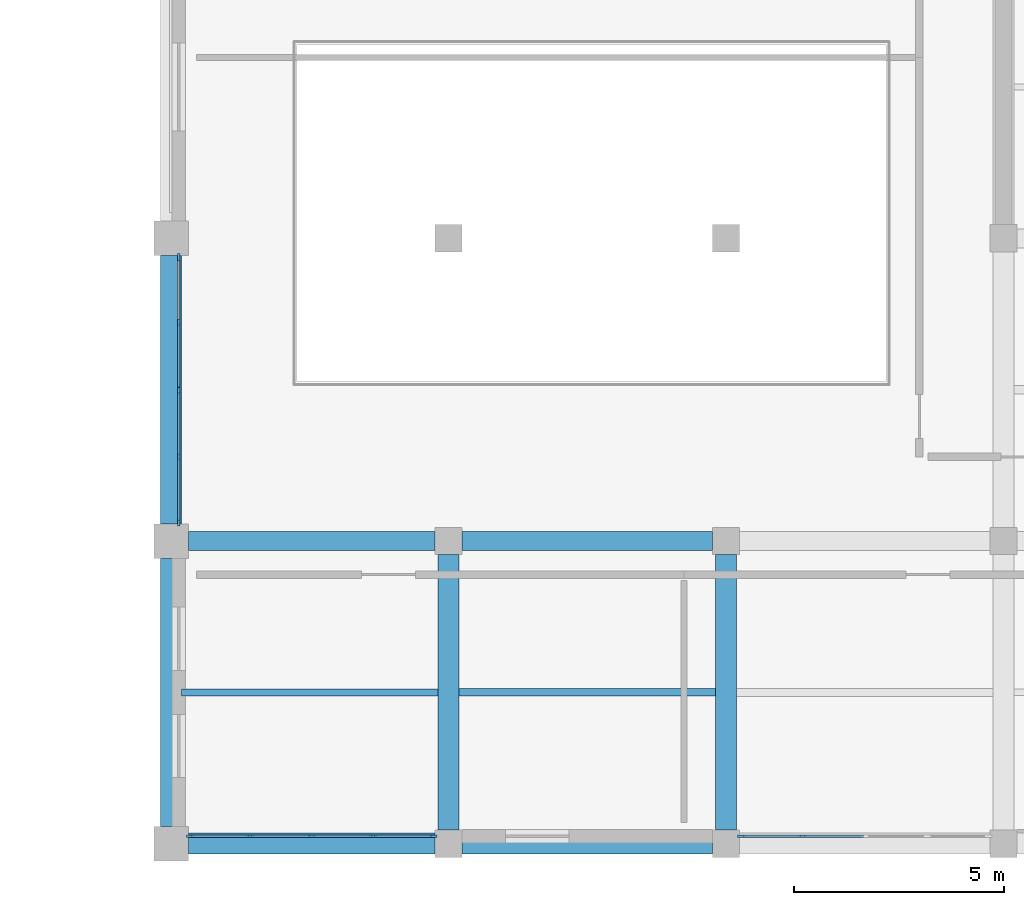
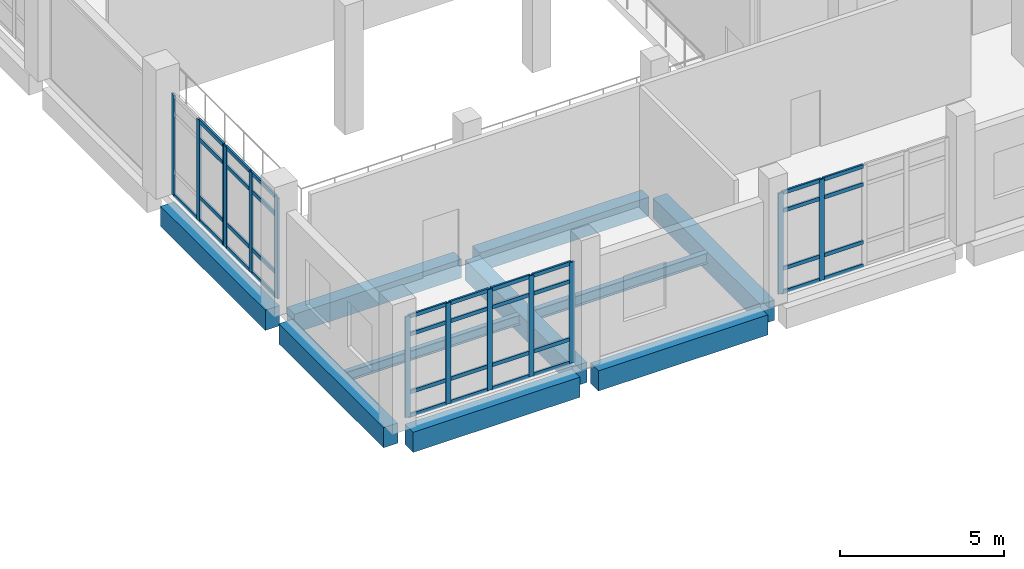
# One storey, part 7 of 73: 50 members, 10 beams, 4 elements without a shape of their own.
"""IFC4 building model written with IfcOpenShell, lengths in metres."""

import ifcopenshell
import ifcopenshell.guid

model = None  # the IFC model being written
_history = None  # IfcOwnerHistory: only IFC2X3 demands one
_inside = {}  # id of a spatial element -> (the spatial element, [elements in it])
_under = {}  # id of a project, library or spatial element -> (it, [spatial elements below it])
_declared = {}  # id of a project -> (the project, [libraries it declares])
_typed = {}  # id of a type object -> (the type object, [elements of that type])
_made_of = {}  # id of a material, layer set ... -> (it, [elements and type objects made of it])


def new_model(schema):
    """Start an empty IFC model of exactly this schema.

    Asked for "IFC4X3", IfcOpenShell would pick the latest addendum, in which some entities
    have other attributes; the version numbers below select the first issue.
    IFC2X3 requires an IfcOwnerHistory on every rooted entity: one is made here for all.
    """
    global model, _history
    if schema == "IFC4X3":
        model = ifcopenshell.file(schema_version=(4, 3, 0, 0))
    else:
        model = ifcopenshell.file(schema=schema)
    _inside.clear()
    _under.clear()
    _declared.clear()
    _typed.clear()
    _made_of.clear()
    _history = None
    if model.schema == "IFC2X3":
        org = make("IfcOrganization", Name="unknown")
        user = make(
            "IfcPersonAndOrganization",
            ThePerson=make("IfcPerson", FamilyName="unknown"),
            TheOrganization=org,
        )
        app = make(
            "IfcApplication",
            ApplicationDeveloper=org,
            Version="unknown",
            ApplicationFullName="unknown",
            ApplicationIdentifier="unknown",
        )
        _history = make(
            "IfcOwnerHistory",
            OwningUser=user,
            OwningApplication=app,
            ChangeAction="ADDED",
            CreationDate=0,
        )
    return model


def make(cls, **values):
    """One entity of the class cls with the attributes given. An attribute that is None is left unset."""
    return model.create_entity(
        cls, **{name: value for name, value in values.items() if value is not None}
    )


def rooted(cls, **values):
    """An entity with a GlobalId (a new one), such as an element, a storey or a relation."""
    return make(cls, GlobalId=ifcopenshell.guid.new(), OwnerHistory=_history, **values)


def si_unit(unit_type, name, prefix=None):
    """IfcSIUnit, for example si_unit("LENGTHUNIT", "METRE", prefix="MILLI")."""
    return make("IfcSIUnit", UnitType=unit_type, Prefix=prefix, Name=name)


def assignment(units):
    """IfcUnitAssignment: the units of a project."""
    return None if units is None else make("IfcUnitAssignment", Units=units)


def point(xyz):
    """IfcCartesianPoint."""
    return None if xyz is None else make("IfcCartesianPoint", Coordinates=xyz)


def direction(xyz):
    """IfcDirection."""
    return None if xyz is None else make("IfcDirection", DirectionRatios=xyz)


def frame(location, z_axis=None, x_axis=None):
    """IfcAxis2Placement3D, a coordinate frame: its origin and axes. An axis left out is left unset."""
    return make(
        "IfcAxis2Placement3D",
        Location=point(location),
        Axis=direction(z_axis),
        RefDirection=direction(x_axis),
    )


def frame_2d(location, x_axis=None):
    """IfcAxis2Placement2D, a coordinate frame in the plane: its origin and x axis."""
    return make(
        "IfcAxis2Placement2D", Location=point(location), RefDirection=direction(x_axis)
    )


def origin():
    """The frame at (0, 0, 0) with its axes left unset."""
    return frame((0.0, 0.0, 0.0))


def origin_2d():
    """The frame at (0, 0) in the plane with its x axis left unset."""
    return frame_2d((0.0, 0.0))


def place(relative_to, where):
    """IfcLocalPlacement: puts the frame where relative to a parent placement (None: the world)."""
    return make(
        "IfcLocalPlacement", PlacementRelTo=relative_to, RelativePlacement=where
    )


def context(
    kind, dimensions, precision=None, world=None, true_north=None, identifier=None
):
    """IfcGeometricRepresentationContext, for example the 3D "Model" context."""
    return make(
        "IfcGeometricRepresentationContext",
        ContextIdentifier=identifier,
        ContextType=kind,
        CoordinateSpaceDimension=dimensions,
        Precision=precision,
        WorldCoordinateSystem=world,
        TrueNorth=true_north,
    )


def subcontext(parent, identifier, kind, view, scale=None):
    """IfcGeometricRepresentationSubContext, for example "Body" below "Model"."""
    return make(
        "IfcGeometricRepresentationSubContext",
        ContextIdentifier=identifier,
        ContextType=kind,
        ParentContext=parent,
        TargetScale=scale,
        TargetView=view,
    )


def project(units=None, contexts=None):
    """IfcProject with its units and contexts."""
    return rooted(
        "IfcProject",
        Name="project",
        RepresentationContexts=contexts,
        UnitsInContext=assignment(units),
    )


def spatial(cls, under=None, at=None, **own):
    """A site, building, storey or space (cls), placed at a placement, below another one or the project."""
    s = rooted(cls, ObjectPlacement=at, **own)
    if under is not None:
        _under.setdefault(under.id(), (under, []))[1].append(s)
    return s


def profile(cls, at=None, kind="AREA", **sizes):
    """A parametric profile (cls). Its sizes go by their IFC names, for example OverallWidth=200.0."""
    return make(cls, ProfileType=kind, Position=at, **sizes)


def rectangle(**sizes):
    """IfcRectangleProfileDef."""
    return profile("IfcRectangleProfileDef", **sizes)


def i_section(**sizes):
    """IfcIShapeProfileDef."""
    return profile("IfcIShapeProfileDef", **sizes)


def extrude(swept, where, along, depth):
    """IfcExtrudedAreaSolid: the profile swept, set in the frame where, extruded along a direction by depth."""
    return make(
        "IfcExtrudedAreaSolid",
        SweptArea=swept,
        Position=where,
        ExtrudedDirection=direction(along),
        Depth=depth,
    )


def shape(context_of_items, identifier, shape_type, items):
    """IfcShapeRepresentation: the items that make up one representation, for example the "Body"."""
    return make(
        "IfcShapeRepresentation",
        ContextOfItems=context_of_items,
        RepresentationIdentifier=identifier,
        RepresentationType=shape_type,
        Items=items,
    )


def material(Name=None, Category=None):
    """IfcMaterial."""
    return make("IfcMaterial", Name=Name, Category=Category)


def layer(
    of_material, thickness, ventilated=None, Name=None, Category=None, Priority=None
):
    """IfcMaterialLayer: one layer of a wall or slab, of a material (None: an air gap)."""
    return make(
        "IfcMaterialLayer",
        Material=of_material,
        LayerThickness=thickness,
        IsVentilated=ventilated,
        Name=Name,
        Category=Category,
        Priority=Priority,
    )


def layer_set(layers, Name=None):
    """IfcMaterialLayerSet."""
    return make("IfcMaterialLayerSet", MaterialLayers=layers, LayerSetName=Name)


def material_profile(
    of_material, cross_section, Name=None, Category=None, Priority=None
):
    """IfcMaterialProfile: a cross section and its material."""
    return make(
        "IfcMaterialProfile",
        Name=Name,
        Material=of_material,
        Profile=cross_section,
        Priority=Priority,
        Category=Category,
    )


def profile_set(profiles, Name=None, composite=None):
    """IfcMaterialProfileSet."""
    return make(
        "IfcMaterialProfileSet",
        Name=Name,
        MaterialProfiles=profiles,
        CompositeProfile=composite,
    )


def made_of(thing, what):
    """Note that an element or type object is made of a material, layer set ...; save() writes the relation."""
    if what is not None:
        _made_of.setdefault(what.id(), (what, []))[1].append(thing)
    return thing


def type_object(cls, material=None, **own):
    """A type object (cls), such as IfcWallType, which elements share."""
    return made_of(rooted(cls, **own), material)


def element(
    cls,
    number,
    at=None,
    inside=None,
    cuts=None,
    type_object=None,
    material=None,
    context=None,
    identifier="Body",
    shape_type=None,
    held_by="IfcProductDefinitionShape",
    body=None,
    shapes=None,
    **own,
):
    """One element of the class cls, such as IfcWall. Its Tag is "e" and its number.

    at: its placement. inside: the storey or other place that contains it. cuts: it is an
    opening in that element (IfcRelVoidsElement). A single representation is given by context,
    identifier, shape_type and body (its items); several are given by shapes. held_by: the class
    of the entity that holds the representations. save() writes the other relations.
    """
    e = rooted(cls, Tag="e%d" % number, ObjectPlacement=at, **own)
    if body is not None:
        shapes = [shape(context, identifier, shape_type, body)]
    if shapes is not None:
        e.Representation = make(held_by, Representations=shapes)
    if inside is not None:
        _inside.setdefault(inside.id(), (inside, []))[1].append(e)
    if cuts is not None:
        rooted(
            "IfcRelVoidsElement", RelatingBuildingElement=cuts, RelatedOpeningElement=e
        )
    if type_object is not None:
        _typed.setdefault(type_object.id(), (type_object, []))[1].append(e)
    return made_of(e, material)


def aggregate(whole, parts):
    """IfcRelAggregates: a whole, such as a stair, and the parts it consists of."""
    return rooted("IfcRelAggregates", RelatingObject=whole, RelatedObjects=parts)


def save(model, path):
    """Write the relations noted so far, then the file.

    IfcRelAggregates (storeys below a building ...), IfcRelContainedInSpatialStructure (elements
    in a storey), IfcRelDefinesByType, IfcRelAssociatesMaterial and IfcRelDeclares: one each for
    every whole, place, type object, material and project.
    """
    for whole, parts in _under.values():
        aggregate(whole, parts)
    for where, things in _inside.values():
        rooted(
            "IfcRelContainedInSpatialStructure",
            RelatedElements=things,
            RelatingStructure=where,
        )
    for kind, things in _typed.values():
        rooted("IfcRelDefinesByType", RelatedObjects=things, RelatingType=kind)
    for what, things in _made_of.values():
        rooted("IfcRelAssociatesMaterial", RelatedObjects=things, RelatingMaterial=what)
    for by, libraries in _declared.values():
        rooted("IfcRelDeclares", RelatingContext=by, RelatedDefinitions=libraries)
    model.write(path)


model = new_model("IFC4")

# Units and contexts
model_context = context("Model", 3, precision=1e-05, world=origin(), true_north=direction((0.0, 1.0)))
body_context = subcontext(model_context, "Body", "Model", "MODEL_VIEW")
ifc_project = project(units=[si_unit("LENGTHUNIT", "METRE"), si_unit("AREAUNIT", "SQUARE_METRE"), si_unit("VOLUMEUNIT", "CUBIC_METRE"), si_unit("PLANEANGLEUNIT", "RADIAN"), si_unit("MASSUNIT", "GRAM", prefix="KILO")], contexts=[model_context])

# Site, building, storey
site_placement = place(None, origin())
site = spatial("IfcSite", under=ifc_project, at=site_placement, CompositionType="ELEMENT")
building_placement = place(site_placement, origin())
building = spatial("IfcBuilding", under=site, at=building_placement, Name="Kelarvand Opera House", CompositionType="ELEMENT")
storey_placement = place(building_placement, frame((0.0, 0.0, 10.199951171875)))
storey = spatial("IfcBuildingStorey", under=building, at=storey_placement, Name="L02", CompositionType="ELEMENT", Elevation=10.199951171875)

# Curtain wall, members
ifc_material_1 = material(Name="Thermally broken aluminium and low-E glazing", Category="aluminium")
ifc_layer_1 = layer(ifc_material_1, 0.179931640625, Name="Thermally broken aluminium and low-E glazing", Category="aluminium")
ifc_layer_set_1 = layer_set([ifc_layer_1], Name="Thermally broken aluminium and low-E glazing")
curtain_wall_type_1 = type_object("IfcCurtainWallType", Name="Unitised Low-E Curtain Wall 3176x3730 Mod 1350 CWF-10", PredefinedType="USERDEFINED", material=ifc_layer_set_1)
curtain_wall_1_placement = place(storey_placement, origin())
curtain_wall_1 = element("IfcCurtainWall", 1, at=curtain_wall_1_placement, inside=storey, type_object=curtain_wall_type_1, Name="V6 L02 Curtain Wall CWF-10 (221)", ObjectType="UNITISED CURTAIN WALL", PredefinedType="USERDEFINED")
ifc_material_2 = material(Name="Thermally broken anodised aluminium", Category="aluminium")
ifc_material_profile_1 = material_profile(ifc_material_2, rectangle(XDim=0.06494140625, YDim=0.179931640625, at=origin_2d()), Name="ALU MULLION 65x180", Category="aluminium")
ifc_profile_set_1 = profile_set([ifc_material_profile_1], Name="Thermally broken anodised aluminium")
member_type_1 = type_object("IfcMemberType", Name="Curtain Wall Mullion 65x180 Aluminium", PredefinedType="MULLION", material=ifc_profile_set_1)
member_1_placement = place(storey_placement, frame((89.179931640625, 16.652587890625, 0.0), z_axis=(0.0, 0.0, 1.0), x_axis=(-1.0, 0.0, 0.0)))
member_1 = element("IfcMember", 2, at=member_1_placement, type_object=member_type_1, Name="CWF-10 mullion 1", PredefinedType="MULLION", context=body_context, shape_type="SweptSolid", body=[
    extrude(rectangle(XDim=0.06494140625, YDim=0.179931640625, at=origin_2d()), origin(), (0.0, 0.0, 1.0), 3.75),
])
member_2_placement = place(storey_placement, frame((89.179931640625, 18.2080078125, 0.0), z_axis=(0.0, 0.0, 1.0), x_axis=(-1.0, 0.0, 0.0)))
member_2 = element("IfcMember", 3, at=member_2_placement, type_object=member_type_1, Name="CWF-10 mullion 2", PredefinedType="MULLION", context=body_context, shape_type="SweptSolid", body=[
    extrude(rectangle(XDim=0.06494140625, YDim=0.179931640625, at=origin_2d()), origin(), (0.0, 0.0, 1.0), 3.75),
])
member_3_placement = place(storey_placement, frame((89.179931640625, 19.763427734375, 0.0), z_axis=(0.0, 0.0, 1.0), x_axis=(-1.0, 0.0, 0.0)))
member_3 = element("IfcMember", 4, at=member_3_placement, type_object=member_type_1, Name="CWF-10 mullion 3", PredefinedType="MULLION", context=body_context, shape_type="SweptSolid", body=[
    extrude(rectangle(XDim=0.06494140625, YDim=0.179931640625, at=origin_2d()), origin(), (0.0, 0.0, 1.0), 3.75),
])

curtain_wall_2_placement = place(storey_placement, origin())
curtain_wall_2 = element("IfcCurtainWall", 5, at=curtain_wall_2_placement, inside=storey, type_object=curtain_wall_type_1, Name="V6 L02 Curtain Wall CWF-10 (222)", ObjectType="UNITISED CURTAIN WALL", PredefinedType="USERDEFINED")
member_4_placement = place(storey_placement, frame((89.179931640625, 19.83251953125, 0.0), z_axis=(0.0, 0.0, 1.0), x_axis=(-1.0, 0.0, 0.0)))
member_4 = element("IfcMember", 6, at=member_4_placement, type_object=member_type_1, Name="CWF-10 mullion 1", PredefinedType="MULLION", context=body_context, shape_type="SweptSolid", body=[
    extrude(rectangle(XDim=0.06494140625, YDim=0.179931640625, at=origin_2d()), origin(), (0.0, 0.0, 1.0), 3.75),
])
member_5_placement = place(storey_placement, frame((89.179931640625, 21.389892578125, 0.0), z_axis=(0.0, 0.0, 1.0), x_axis=(-1.0, 0.0, 0.0)))
member_5 = element("IfcMember", 7, at=member_5_placement, type_object=member_type_1, Name="CWF-10 mullion 2", PredefinedType="MULLION", context=body_context, shape_type="SweptSolid", body=[
    extrude(rectangle(XDim=0.06494140625, YDim=0.179931640625, at=origin_2d()), origin(), (0.0, 0.0, 1.0), 3.75),
])
member_6_placement = place(storey_placement, frame((89.179931640625, 22.947509765625, 0.0), z_axis=(0.0, 0.0, 1.0), x_axis=(-1.0, 0.0, 0.0)))
member_6 = element("IfcMember", 8, at=member_6_placement, type_object=member_type_1, Name="CWF-10 mullion 3", PredefinedType="MULLION", context=body_context, shape_type="SweptSolid", body=[
    extrude(rectangle(XDim=0.06494140625, YDim=0.179931640625, at=origin_2d()), origin(), (0.0, 0.0, 1.0), 3.75),
])

ifc_layer_2 = layer(ifc_material_1, 0.179931640625, Name="Thermally broken aluminium and low-E glazing", Category="aluminium")
ifc_layer_set_2 = layer_set([ifc_layer_2], Name="Thermally broken aluminium and low-E glazing")
curtain_wall_type_2 = type_object("IfcCurtainWallType", Name="Unitised Low-E Curtain Wall 5930x3750 Mod 1350 CWF-55", PredefinedType="USERDEFINED", material=ifc_layer_set_2)
curtain_wall_3_placement = place(storey_placement, origin())
curtain_wall_3 = element("IfcCurtainWall", 9, at=curtain_wall_3_placement, inside=storey, type_object=curtain_wall_type_2, Name="V6 L02 Curtain Wall CWF-55 (227)", ObjectType="UNITISED CURTAIN WALL", PredefinedType="USERDEFINED")
member_7_placement = place(storey_placement, frame((104.017578125, 9.179931640625, 0.0), z_axis=(0.0, 0.0, 1.0), x_axis=(0.0, -1.0, 0.0)))
member_7 = element("IfcMember", 10, at=member_7_placement, type_object=member_type_1, Name="CWF-55 mullion 4", PredefinedType="MULLION", context=body_context, shape_type="SweptSolid", body=[
    extrude(rectangle(XDim=0.06494140625, YDim=0.179931640625, at=origin_2d()), origin(), (0.0, 0.0, 1.0), 3.75),
])
member_8_placement = place(storey_placement, frame((102.5673828125, 9.179931640625, 0.0), z_axis=(0.0, 0.0, 1.0), x_axis=(0.0, -1.0, 0.0)))
member_8 = element("IfcMember", 11, at=member_8_placement, type_object=member_type_1, Name="CWF-55 mullion 5", PredefinedType="MULLION", context=body_context, shape_type="SweptSolid", body=[
    extrude(rectangle(XDim=0.06494140625, YDim=0.179931640625, at=origin_2d()), origin(), (0.0, 0.0, 1.0), 3.75),
])

ifc_layer_3 = layer(ifc_material_1, 0.179931640625, Name="Thermally broken aluminium and low-E glazing", Category="aluminium")
ifc_layer_set_3 = layer_set([ifc_layer_3], Name="Thermally broken aluminium and low-E glazing")
curtain_wall_type_3 = type_object("IfcCurtainWallType", Name="Unitised Low-E Curtain Wall 5845x3750 Mod 1350 CWF-56", PredefinedType="USERDEFINED", material=ifc_layer_set_3)
curtain_wall_4_placement = place(storey_placement, origin())
curtain_wall_4 = element("IfcCurtainWall", 12, at=curtain_wall_4_placement, inside=storey, type_object=curtain_wall_type_3, Name="V6 L02 Curtain Wall CWF-56 (228)", ObjectType="UNITISED CURTAIN WALL", PredefinedType="USERDEFINED")
member_9_placement = place(storey_placement, frame((95.232421875, 9.179931640625, 0.0), z_axis=(0.0, 0.0, 1.0), x_axis=(0.0, -1.0, 0.0)))
member_9 = element("IfcMember", 13, at=member_9_placement, type_object=member_type_1, Name="CWF-56 mullion 1", PredefinedType="MULLION", context=body_context, shape_type="SweptSolid", body=[
    extrude(rectangle(XDim=0.06494140625, YDim=0.179931640625, at=origin_2d()), origin(), (0.0, 0.0, 1.0), 3.75),
])
member_10_placement = place(storey_placement, frame((93.8037109375, 9.179931640625, 0.0), z_axis=(0.0, 0.0, 1.0), x_axis=(0.0, -1.0, 0.0)))
member_10 = element("IfcMember", 14, at=member_10_placement, type_object=member_type_1, Name="CWF-56 mullion 2", PredefinedType="MULLION", context=body_context, shape_type="SweptSolid", body=[
    extrude(rectangle(XDim=0.06494140625, YDim=0.179931640625, at=origin_2d()), origin(), (0.0, 0.0, 1.0), 3.75),
])
member_11_placement = place(storey_placement, frame((92.342529296875, 9.179931640625, 0.0), z_axis=(0.0, 0.0, 1.0), x_axis=(0.0, -1.0, 0.0)))
member_11 = element("IfcMember", 15, at=member_11_placement, type_object=member_type_1, Name="CWF-56 mullion 3", PredefinedType="MULLION", context=body_context, shape_type="SweptSolid", body=[
    extrude(rectangle(XDim=0.06494140625, YDim=0.179931640625, at=origin_2d()), origin(), (0.0, 0.0, 1.0), 3.75),
])
member_12_placement = place(storey_placement, frame((90.88134765625, 9.179931640625, 0.0), z_axis=(0.0, 0.0, 1.0), x_axis=(0.0, -1.0, 0.0)))
member_12 = element("IfcMember", 16, at=member_12_placement, type_object=member_type_1, Name="CWF-56 mullion 4", PredefinedType="MULLION", context=body_context, shape_type="SweptSolid", body=[
    extrude(rectangle(XDim=0.06494140625, YDim=0.179931640625, at=origin_2d()), origin(), (0.0, 0.0, 1.0), 3.75),
])
member_13_placement = place(storey_placement, frame((89.452392578125, 9.179931640625, 0.0), z_axis=(0.0, 0.0, 1.0), x_axis=(0.0, -1.0, 0.0)))
member_13 = element("IfcMember", 17, at=member_13_placement, type_object=member_type_1, Name="CWF-56 mullion 5", PredefinedType="MULLION", context=body_context, shape_type="SweptSolid", body=[
    extrude(rectangle(XDim=0.06494140625, YDim=0.179931640625, at=origin_2d()), origin(), (0.0, 0.0, 1.0), 3.75),
])

# Member
ifc_material_profile_2 = material_profile(ifc_material_2, rectangle(XDim=0.06494140625, YDim=0.139892578125, at=origin_2d()), Name="ALU TRANSOM 65x140", Category="aluminium")
ifc_profile_set_2 = profile_set([ifc_material_profile_2], Name="Thermally broken anodised aluminium")
member_type_2 = type_object("IfcMemberType", Name="Curtain Wall Transom 65x140 Aluminium", PredefinedType="USERDEFINED", material=ifc_profile_set_2)
member_14_placement = place(storey_placement, frame((89.179931640625, 16.68505859375, 0.032470703125), z_axis=(0.0, 1.0, 0.0), x_axis=(-1.0, 0.0, 0.0)))
member_14 = element("IfcMember", 18, at=member_14_placement, type_object=member_type_2, Name="CWF-10 transom 1.1", ObjectType="TRANSOM", PredefinedType="USERDEFINED", context=body_context, shape_type="SweptSolid", body=[
    extrude(rectangle(XDim=0.06494140625, YDim=0.139892578125, at=origin_2d()), origin(), (0.0, 0.0, 1.0), 1.490478515625),
])

member_15_placement = place(storey_placement, frame((89.179931640625, 16.68505859375, 0.900146484375), z_axis=(0.0, 1.0, 0.0), x_axis=(-1.0, 0.0, 0.0)))
member_15 = element("IfcMember", 19, at=member_15_placement, type_object=member_type_2, Name="CWF-10 transom 1.2", ObjectType="TRANSOM", PredefinedType="USERDEFINED", context=body_context, shape_type="SweptSolid", body=[
    extrude(rectangle(XDim=0.06494140625, YDim=0.139892578125, at=origin_2d()), origin(), (0.0, 0.0, 1.0), 1.490478515625),
])

member_16_placement = place(storey_placement, frame((89.179931640625, 16.68505859375, 3.050048828125), z_axis=(0.0, 1.0, 0.0), x_axis=(-1.0, 0.0, 0.0)))
member_16 = element("IfcMember", 20, at=member_16_placement, type_object=member_type_2, Name="CWF-10 transom 1.3", ObjectType="TRANSOM", PredefinedType="USERDEFINED", context=body_context, shape_type="SweptSolid", body=[
    extrude(rectangle(XDim=0.06494140625, YDim=0.139892578125, at=origin_2d()), origin(), (0.0, 0.0, 1.0), 1.490478515625),
])

member_17_placement = place(storey_placement, frame((89.179931640625, 16.68505859375, 3.717529296875), z_axis=(0.0, 1.0, 0.0), x_axis=(-1.0, 0.0, 0.0)))
member_17 = element("IfcMember", 21, at=member_17_placement, type_object=member_type_2, Name="CWF-10 transom 1.4", ObjectType="TRANSOM", PredefinedType="USERDEFINED", context=body_context, shape_type="SweptSolid", body=[
    extrude(rectangle(XDim=0.06494140625, YDim=0.139892578125, at=origin_2d()), origin(), (0.0, 0.0, 1.0), 1.490478515625),
])

member_18_placement = place(storey_placement, frame((89.179931640625, 18.240478515625, 0.032470703125), z_axis=(0.0, 1.0, 0.0), x_axis=(-1.0, 0.0, 0.0)))
member_18 = element("IfcMember", 22, at=member_18_placement, type_object=member_type_2, Name="CWF-10 transom 2.1", ObjectType="TRANSOM", PredefinedType="USERDEFINED", context=body_context, shape_type="SweptSolid", body=[
    extrude(rectangle(XDim=0.06494140625, YDim=0.139892578125, at=origin_2d()), origin(), (0.0, 0.0, 1.0), 1.490478515625),
])

member_19_placement = place(storey_placement, frame((89.179931640625, 18.240478515625, 0.900146484375), z_axis=(0.0, 1.0, 0.0), x_axis=(-1.0, 0.0, 0.0)))
member_19 = element("IfcMember", 23, at=member_19_placement, type_object=member_type_2, Name="CWF-10 transom 2.2", ObjectType="TRANSOM", PredefinedType="USERDEFINED", context=body_context, shape_type="SweptSolid", body=[
    extrude(rectangle(XDim=0.06494140625, YDim=0.139892578125, at=origin_2d()), origin(), (0.0, 0.0, 1.0), 1.490478515625),
])

member_20_placement = place(storey_placement, frame((89.179931640625, 18.240478515625, 3.050048828125), z_axis=(0.0, 1.0, 0.0), x_axis=(-1.0, 0.0, 0.0)))
member_20 = element("IfcMember", 24, at=member_20_placement, type_object=member_type_2, Name="CWF-10 transom 2.3", ObjectType="TRANSOM", PredefinedType="USERDEFINED", context=body_context, shape_type="SweptSolid", body=[
    extrude(rectangle(XDim=0.06494140625, YDim=0.139892578125, at=origin_2d()), origin(), (0.0, 0.0, 1.0), 1.490478515625),
])

member_21_placement = place(storey_placement, frame((89.179931640625, 18.240478515625, 3.717529296875), z_axis=(0.0, 1.0, 0.0), x_axis=(-1.0, 0.0, 0.0)))
member_21 = element("IfcMember", 25, at=member_21_placement, type_object=member_type_2, Name="CWF-10 transom 2.4", ObjectType="TRANSOM", PredefinedType="USERDEFINED", context=body_context, shape_type="SweptSolid", body=[
    extrude(rectangle(XDim=0.06494140625, YDim=0.139892578125, at=origin_2d()), origin(), (0.0, 0.0, 1.0), 1.490478515625),
])

aggregate(curtain_wall_1, [member_1, member_2, member_3, member_14, member_15, member_16, member_17, member_18, member_19, member_20, member_21])

member_22_placement = place(storey_placement, frame((89.179931640625, 19.864990234375, 0.032470703125), z_axis=(0.0, 1.0, 0.0), x_axis=(-1.0, 0.0, 0.0)))
member_22 = element("IfcMember", 26, at=member_22_placement, type_object=member_type_2, Name="CWF-10 transom 1.1", ObjectType="TRANSOM", PredefinedType="USERDEFINED", context=body_context, shape_type="SweptSolid", body=[
    extrude(rectangle(XDim=0.06494140625, YDim=0.139892578125, at=origin_2d()), origin(), (0.0, 0.0, 1.0), 1.492431640625),
])

member_23_placement = place(storey_placement, frame((89.179931640625, 19.864990234375, 0.900146484375), z_axis=(0.0, 1.0, 0.0), x_axis=(-1.0, 0.0, 0.0)))
member_23 = element("IfcMember", 27, at=member_23_placement, type_object=member_type_2, Name="CWF-10 transom 1.2", ObjectType="TRANSOM", PredefinedType="USERDEFINED", context=body_context, shape_type="SweptSolid", body=[
    extrude(rectangle(XDim=0.06494140625, YDim=0.139892578125, at=origin_2d()), origin(), (0.0, 0.0, 1.0), 1.492431640625),
])

member_24_placement = place(storey_placement, frame((89.179931640625, 19.864990234375, 3.050048828125), z_axis=(0.0, 1.0, 0.0), x_axis=(-1.0, 0.0, 0.0)))
member_24 = element("IfcMember", 28, at=member_24_placement, type_object=member_type_2, Name="CWF-10 transom 1.3", ObjectType="TRANSOM", PredefinedType="USERDEFINED", context=body_context, shape_type="SweptSolid", body=[
    extrude(rectangle(XDim=0.06494140625, YDim=0.139892578125, at=origin_2d()), origin(), (0.0, 0.0, 1.0), 1.492431640625),
])

member_25_placement = place(storey_placement, frame((89.179931640625, 19.864990234375, 3.717529296875), z_axis=(0.0, 1.0, 0.0), x_axis=(-1.0, 0.0, 0.0)))
member_25 = element("IfcMember", 29, at=member_25_placement, type_object=member_type_2, Name="CWF-10 transom 1.4", ObjectType="TRANSOM", PredefinedType="USERDEFINED", context=body_context, shape_type="SweptSolid", body=[
    extrude(rectangle(XDim=0.06494140625, YDim=0.139892578125, at=origin_2d()), origin(), (0.0, 0.0, 1.0), 1.492431640625),
])

member_26_placement = place(storey_placement, frame((89.179931640625, 21.422607421875, 0.032470703125), z_axis=(0.0, 1.0, 0.0), x_axis=(-1.0, 0.0, 0.0)))
member_26 = element("IfcMember", 30, at=member_26_placement, type_object=member_type_2, Name="CWF-10 transom 2.1", ObjectType="TRANSOM", PredefinedType="USERDEFINED", context=body_context, shape_type="SweptSolid", body=[
    extrude(rectangle(XDim=0.06494140625, YDim=0.139892578125, at=origin_2d()), origin(), (0.0, 0.0, 1.0), 1.492431640625),
])

aggregate(curtain_wall_2, [member_4, member_5, member_6, member_22, member_23, member_24, member_25, member_26])

member_27_placement = place(storey_placement, frame((105.467529296875, 9.179931640625, 0.032470703125), z_axis=(-1.0, 0.0, 0.0), x_axis=(0.0, -1.0, 0.0)))
member_27 = element("IfcMember", 31, at=member_27_placement, type_object=member_type_2, Name="CWF-55 transom 3.1", ObjectType="TRANSOM", PredefinedType="USERDEFINED", context=body_context, shape_type="SweptSolid", body=[
    extrude(rectangle(XDim=0.06494140625, YDim=0.139892578125, at=origin_2d()), origin(), (0.0, 0.0, 1.0), 1.41748046875),
])

member_28_placement = place(storey_placement, frame((105.467529296875, 9.179931640625, 0.900146484375), z_axis=(-1.0, 0.0, 0.0), x_axis=(0.0, -1.0, 0.0)))
member_28 = element("IfcMember", 32, at=member_28_placement, type_object=member_type_2, Name="CWF-55 transom 3.2", ObjectType="TRANSOM", PredefinedType="USERDEFINED", context=body_context, shape_type="SweptSolid", body=[
    extrude(rectangle(XDim=0.06494140625, YDim=0.139892578125, at=origin_2d()), origin(), (0.0, 0.0, 1.0), 1.41748046875),
])

member_29_placement = place(storey_placement, frame((105.467529296875, 9.179931640625, 3.050048828125), z_axis=(-1.0, 0.0, 0.0), x_axis=(0.0, -1.0, 0.0)))
member_29 = element("IfcMember", 33, at=member_29_placement, type_object=member_type_2, Name="CWF-55 transom 3.3", ObjectType="TRANSOM", PredefinedType="USERDEFINED", context=body_context, shape_type="SweptSolid", body=[
    extrude(rectangle(XDim=0.06494140625, YDim=0.139892578125, at=origin_2d()), origin(), (0.0, 0.0, 1.0), 1.41748046875),
])

member_30_placement = place(storey_placement, frame((105.467529296875, 9.179931640625, 3.717529296875), z_axis=(-1.0, 0.0, 0.0), x_axis=(0.0, -1.0, 0.0)))
member_30 = element("IfcMember", 34, at=member_30_placement, type_object=member_type_2, Name="CWF-55 transom 3.4", ObjectType="TRANSOM", PredefinedType="USERDEFINED", context=body_context, shape_type="SweptSolid", body=[
    extrude(rectangle(XDim=0.06494140625, YDim=0.139892578125, at=origin_2d()), origin(), (0.0, 0.0, 1.0), 1.41748046875),
])

member_31_placement = place(storey_placement, frame((103.985107421875, 9.179931640625, 0.032470703125), z_axis=(-1.0, 0.0, 0.0), x_axis=(0.0, -1.0, 0.0)))
member_31 = element("IfcMember", 35, at=member_31_placement, type_object=member_type_2, Name="CWF-55 transom 4.1", ObjectType="TRANSOM", PredefinedType="USERDEFINED", context=body_context, shape_type="SweptSolid", body=[
    extrude(rectangle(XDim=0.06494140625, YDim=0.139892578125, at=origin_2d()), origin(), (0.0, 0.0, 1.0), 1.385009765625),
])

member_32_placement = place(storey_placement, frame((103.985107421875, 9.179931640625, 0.900146484375), z_axis=(-1.0, 0.0, 0.0), x_axis=(0.0, -1.0, 0.0)))
member_32 = element("IfcMember", 36, at=member_32_placement, type_object=member_type_2, Name="CWF-55 transom 4.2", ObjectType="TRANSOM", PredefinedType="USERDEFINED", context=body_context, shape_type="SweptSolid", body=[
    extrude(rectangle(XDim=0.06494140625, YDim=0.139892578125, at=origin_2d()), origin(), (0.0, 0.0, 1.0), 1.385009765625),
])

member_33_placement = place(storey_placement, frame((103.985107421875, 9.179931640625, 3.050048828125), z_axis=(-1.0, 0.0, 0.0), x_axis=(0.0, -1.0, 0.0)))
member_33 = element("IfcMember", 37, at=member_33_placement, type_object=member_type_2, Name="CWF-55 transom 4.3", ObjectType="TRANSOM", PredefinedType="USERDEFINED", context=body_context, shape_type="SweptSolid", body=[
    extrude(rectangle(XDim=0.06494140625, YDim=0.139892578125, at=origin_2d()), origin(), (0.0, 0.0, 1.0), 1.385009765625),
])

member_34_placement = place(storey_placement, frame((103.985107421875, 9.179931640625, 3.717529296875), z_axis=(-1.0, 0.0, 0.0), x_axis=(0.0, -1.0, 0.0)))
member_34 = element("IfcMember", 38, at=member_34_placement, type_object=member_type_2, Name="CWF-55 transom 4.4", ObjectType="TRANSOM", PredefinedType="USERDEFINED", context=body_context, shape_type="SweptSolid", body=[
    extrude(rectangle(XDim=0.06494140625, YDim=0.139892578125, at=origin_2d()), origin(), (0.0, 0.0, 1.0), 1.385009765625),
])

aggregate(curtain_wall_3, [member_7, member_8, member_27, member_28, member_29, member_30, member_31, member_32, member_33, member_34])

member_35_placement = place(storey_placement, frame((95.199951171875, 9.179931640625, 0.032470703125), z_axis=(-1.0, 0.0, 0.0), x_axis=(0.0, -1.0, 0.0)))
member_35 = element("IfcMember", 39, at=member_35_placement, type_object=member_type_2, Name="CWF-56 transom 1.1", ObjectType="TRANSOM", PredefinedType="USERDEFINED", context=body_context, shape_type="SweptSolid", body=[
    extrude(rectangle(XDim=0.06494140625, YDim=0.139892578125, at=origin_2d()), origin(), (0.0, 0.0, 1.0), 1.36376953125),
])

member_36_placement = place(storey_placement, frame((95.199951171875, 9.179931640625, 0.900146484375), z_axis=(-1.0, 0.0, 0.0), x_axis=(0.0, -1.0, 0.0)))
member_36 = element("IfcMember", 40, at=member_36_placement, type_object=member_type_2, Name="CWF-56 transom 1.2", ObjectType="TRANSOM", PredefinedType="USERDEFINED", context=body_context, shape_type="SweptSolid", body=[
    extrude(rectangle(XDim=0.06494140625, YDim=0.139892578125, at=origin_2d()), origin(), (0.0, 0.0, 1.0), 1.36376953125),
])

member_37_placement = place(storey_placement, frame((95.199951171875, 9.179931640625, 3.050048828125), z_axis=(-1.0, 0.0, 0.0), x_axis=(0.0, -1.0, 0.0)))
member_37 = element("IfcMember", 41, at=member_37_placement, type_object=member_type_2, Name="CWF-56 transom 1.3", ObjectType="TRANSOM", PredefinedType="USERDEFINED", context=body_context, shape_type="SweptSolid", body=[
    extrude(rectangle(XDim=0.06494140625, YDim=0.139892578125, at=origin_2d()), origin(), (0.0, 0.0, 1.0), 1.36376953125),
])

member_38_placement = place(storey_placement, frame((95.199951171875, 9.179931640625, 3.717529296875), z_axis=(-1.0, 0.0, 0.0), x_axis=(0.0, -1.0, 0.0)))
member_38 = element("IfcMember", 42, at=member_38_placement, type_object=member_type_2, Name="CWF-56 transom 1.4", ObjectType="TRANSOM", PredefinedType="USERDEFINED", context=body_context, shape_type="SweptSolid", body=[
    extrude(rectangle(XDim=0.06494140625, YDim=0.139892578125, at=origin_2d()), origin(), (0.0, 0.0, 1.0), 1.36376953125),
])

member_39_placement = place(storey_placement, frame((93.771240234375, 9.179931640625, 0.032470703125), z_axis=(-1.0, 0.0, 0.0), x_axis=(0.0, -1.0, 0.0)))
member_39 = element("IfcMember", 43, at=member_39_placement, type_object=member_type_2, Name="CWF-56 transom 2.1", ObjectType="TRANSOM", PredefinedType="USERDEFINED", context=body_context, shape_type="SweptSolid", body=[
    extrude(rectangle(XDim=0.06494140625, YDim=0.139892578125, at=origin_2d()), origin(), (0.0, 0.0, 1.0), 1.396240234375),
])

member_40_placement = place(storey_placement, frame((93.771240234375, 9.179931640625, 0.900146484375), z_axis=(-1.0, 0.0, 0.0), x_axis=(0.0, -1.0, 0.0)))
member_40 = element("IfcMember", 44, at=member_40_placement, type_object=member_type_2, Name="CWF-56 transom 2.2", ObjectType="TRANSOM", PredefinedType="USERDEFINED", context=body_context, shape_type="SweptSolid", body=[
    extrude(rectangle(XDim=0.06494140625, YDim=0.139892578125, at=origin_2d()), origin(), (0.0, 0.0, 1.0), 1.396240234375),
])

member_41_placement = place(storey_placement, frame((93.771240234375, 9.179931640625, 3.050048828125), z_axis=(-1.0, 0.0, 0.0), x_axis=(0.0, -1.0, 0.0)))
member_41 = element("IfcMember", 45, at=member_41_placement, type_object=member_type_2, Name="CWF-56 transom 2.3", ObjectType="TRANSOM", PredefinedType="USERDEFINED", context=body_context, shape_type="SweptSolid", body=[
    extrude(rectangle(XDim=0.06494140625, YDim=0.139892578125, at=origin_2d()), origin(), (0.0, 0.0, 1.0), 1.396240234375),
])

member_42_placement = place(storey_placement, frame((93.771240234375, 9.179931640625, 3.717529296875), z_axis=(-1.0, 0.0, 0.0), x_axis=(0.0, -1.0, 0.0)))
member_42 = element("IfcMember", 46, at=member_42_placement, type_object=member_type_2, Name="CWF-56 transom 2.4", ObjectType="TRANSOM", PredefinedType="USERDEFINED", context=body_context, shape_type="SweptSolid", body=[
    extrude(rectangle(XDim=0.06494140625, YDim=0.139892578125, at=origin_2d()), origin(), (0.0, 0.0, 1.0), 1.396240234375),
])

member_43_placement = place(storey_placement, frame((92.31005859375, 9.179931640625, 0.032470703125), z_axis=(-1.0, 0.0, 0.0), x_axis=(0.0, -1.0, 0.0)))
member_43 = element("IfcMember", 47, at=member_43_placement, type_object=member_type_2, Name="CWF-56 transom 3.1", ObjectType="TRANSOM", PredefinedType="USERDEFINED", context=body_context, shape_type="SweptSolid", body=[
    extrude(rectangle(XDim=0.06494140625, YDim=0.139892578125, at=origin_2d()), origin(), (0.0, 0.0, 1.0), 1.396240234375),
])

member_44_placement = place(storey_placement, frame((92.31005859375, 9.179931640625, 0.900146484375), z_axis=(-1.0, 0.0, 0.0), x_axis=(0.0, -1.0, 0.0)))
member_44 = element("IfcMember", 48, at=member_44_placement, type_object=member_type_2, Name="CWF-56 transom 3.2", ObjectType="TRANSOM", PredefinedType="USERDEFINED", context=body_context, shape_type="SweptSolid", body=[
    extrude(rectangle(XDim=0.06494140625, YDim=0.139892578125, at=origin_2d()), origin(), (0.0, 0.0, 1.0), 1.396240234375),
])

member_45_placement = place(storey_placement, frame((92.31005859375, 9.179931640625, 3.050048828125), z_axis=(-1.0, 0.0, 0.0), x_axis=(0.0, -1.0, 0.0)))
member_45 = element("IfcMember", 49, at=member_45_placement, type_object=member_type_2, Name="CWF-56 transom 3.3", ObjectType="TRANSOM", PredefinedType="USERDEFINED", context=body_context, shape_type="SweptSolid", body=[
    extrude(rectangle(XDim=0.06494140625, YDim=0.139892578125, at=origin_2d()), origin(), (0.0, 0.0, 1.0), 1.396240234375),
])

member_46_placement = place(storey_placement, frame((92.31005859375, 9.179931640625, 3.717529296875), z_axis=(-1.0, 0.0, 0.0), x_axis=(0.0, -1.0, 0.0)))
member_46 = element("IfcMember", 50, at=member_46_placement, type_object=member_type_2, Name="CWF-56 transom 3.4", ObjectType="TRANSOM", PredefinedType="USERDEFINED", context=body_context, shape_type="SweptSolid", body=[
    extrude(rectangle(XDim=0.06494140625, YDim=0.139892578125, at=origin_2d()), origin(), (0.0, 0.0, 1.0), 1.396240234375),
])

member_47_placement = place(storey_placement, frame((90.8486328125, 9.179931640625, 0.032470703125), z_axis=(-1.0, 0.0, 0.0), x_axis=(0.0, -1.0, 0.0)))
member_47 = element("IfcMember", 51, at=member_47_placement, type_object=member_type_2, Name="CWF-56 transom 4.1", ObjectType="TRANSOM", PredefinedType="USERDEFINED", context=body_context, shape_type="SweptSolid", body=[
    extrude(rectangle(XDim=0.06494140625, YDim=0.139892578125, at=origin_2d()), origin(), (0.0, 0.0, 1.0), 1.363525390625),
])

member_48_placement = place(storey_placement, frame((90.8486328125, 9.179931640625, 0.900146484375), z_axis=(-1.0, 0.0, 0.0), x_axis=(0.0, -1.0, 0.0)))
member_48 = element("IfcMember", 52, at=member_48_placement, type_object=member_type_2, Name="CWF-56 transom 4.2", ObjectType="TRANSOM", PredefinedType="USERDEFINED", context=body_context, shape_type="SweptSolid", body=[
    extrude(rectangle(XDim=0.06494140625, YDim=0.139892578125, at=origin_2d()), origin(), (0.0, 0.0, 1.0), 1.363525390625),
])

member_49_placement = place(storey_placement, frame((90.8486328125, 9.179931640625, 3.050048828125), z_axis=(-1.0, 0.0, 0.0), x_axis=(0.0, -1.0, 0.0)))
member_49 = element("IfcMember", 53, at=member_49_placement, type_object=member_type_2, Name="CWF-56 transom 4.3", ObjectType="TRANSOM", PredefinedType="USERDEFINED", context=body_context, shape_type="SweptSolid", body=[
    extrude(rectangle(XDim=0.06494140625, YDim=0.139892578125, at=origin_2d()), origin(), (0.0, 0.0, 1.0), 1.363525390625),
])

member_50_placement = place(storey_placement, frame((90.8486328125, 9.179931640625, 3.717529296875), z_axis=(-1.0, 0.0, 0.0), x_axis=(0.0, -1.0, 0.0)))
member_50 = element("IfcMember", 54, at=member_50_placement, type_object=member_type_2, Name="CWF-56 transom 4.4", ObjectType="TRANSOM", PredefinedType="USERDEFINED", context=body_context, shape_type="SweptSolid", body=[
    extrude(rectangle(XDim=0.06494140625, YDim=0.139892578125, at=origin_2d()), origin(), (0.0, 0.0, 1.0), 1.363525390625),
])

aggregate(curtain_wall_4, [member_9, member_10, member_11, member_12, member_13, member_35, member_36, member_37, member_38, member_39, member_40, member_41, member_42, member_43, member_44, member_45, member_46, member_47, member_48, member_49, member_50])

# Beams
ifc_material_3 = material(Name="Concrete C40/50", Category="concrete")
ifc_material_profile_3 = material_profile(ifc_material_3, rectangle(XDim=0.449951171875, YDim=0.699951171875, at=origin_2d()), Name="RC 450x700", Category="concrete")
ifc_profile_set_3 = profile_set([ifc_material_profile_3], Name="Concrete C40/50")
beam_type_1 = type_object("IfcBeamType", Name="Structural Beam RC 450x700 BM-RC450x700", PredefinedType="BEAM", material=ifc_profile_set_3)
beam_1_placement = place(storey_placement, frame((89.409912109375, 16.199951171875, -0.64990234375), z_axis=(1.0, 0.0, 0.0), x_axis=(0.0, 1.0, 0.0)))
element("IfcBeam", 55, at=beam_1_placement, inside=storey, type_object=beam_type_1, Name="V6 L02 Beam BM-RC450x700", PredefinedType="BEAM", context=body_context, shape_type="SweptSolid", body=[
    extrude(rectangle(XDim=0.449951171875, YDim=0.699951171875, at=origin_2d()), origin(), (0.0, 0.0, 1.0), 5.864990234375),
])
beam_2_placement = place(storey_placement, frame((95.925048828125, 16.199951171875, -0.64990234375), z_axis=(1.0, 0.0, 0.0), x_axis=(0.0, 1.0, 0.0)))
element("IfcBeam", 56, at=beam_2_placement, inside=storey, type_object=beam_type_1, Name="V6 L02 Beam BM-RC450x700", PredefinedType="BEAM", context=body_context, shape_type="SweptSolid", body=[
    extrude(rectangle(XDim=0.449951171875, YDim=0.699951171875, at=origin_2d()), origin(), (0.0, 0.0, 1.0), 5.949951171875),
])
ifc_material_profile_4 = material_profile(ifc_material_3, rectangle(XDim=0.5, YDim=0.75, at=origin_2d()), Name="RC 500x750", Category="concrete")
ifc_profile_set_4 = profile_set([ifc_material_profile_4], Name="Concrete C40/50")
beam_type_2 = type_object("IfcBeamType", Name="Structural Beam RC 500x750 BM-RC500x750", PredefinedType="BEAM", material=ifc_profile_set_4)
for number, where, z_axis, x_axis, name in (
    (57, (95.60009765625, 9.324951171875, -0.675048828125), (0.0, 1.0, 0.0), (-1.0, 0.0, 0.0), "V6 L02 Beam BM-RC500x750"),
    (58, (102.199951171875, 9.324951171875, -0.675048828125), (0.0, 1.0, 0.0), (-1.0, 0.0, 0.0), "V6 L02 Beam BM-RC500x750"),
):
    element("IfcBeam", number, at=place(storey_placement, frame(where, z_axis=z_axis, x_axis=x_axis)), inside=storey, type_object=beam_type_2, Name=name, PredefinedType="BEAM", context=body_context, shape_type="SweptSolid", body=[
        extrude(rectangle(XDim=0.5, YDim=0.75, at=origin_2d()), origin(), (0.0, 0.0, 1.0), 6.550048828125),
    ])
ifc_material_4 = material(Name="Steel S355", Category="steel")
ifc_material_profile_5 = material_profile(ifc_material_4, i_section(OverallWidth=0.169921875, OverallDepth=0.360107421875, WebThickness=0.008056640625, FlangeThickness=0.0126953125, at=origin_2d()), Name="IPE 360", Category="steel")
ifc_profile_set_5 = profile_set([ifc_material_profile_5], Name="Steel S355")
beam_type_3 = type_object("IfcBeamType", Name="Structural Joist IPE 360 JS-IPE360", PredefinedType="JOIST", material=ifc_profile_set_5)
beam_3_placement = place(storey_placement, frame((89.25, 12.60009765625, -0.47998046875), z_axis=(1.0, 0.0, 0.0), x_axis=(0.0, 1.0, 0.0)))
element("IfcBeam", 59, at=beam_3_placement, inside=storey, type_object=beam_type_3, Name="V6 L02 Beam JS-IPE360", PredefinedType="JOIST", context=body_context, shape_type="SweptSolid", body=[
    extrude(i_section(OverallWidth=0.169921875, OverallDepth=0.360107421875, WebThickness=0.008056640625, FlangeThickness=0.0126953125, at=origin_2d()), origin(), (0.0, 0.0, 1.0), 6.10009765625),
])
ifc_material_profile_6 = material_profile(ifc_material_4, i_section(OverallWidth=0.179931640625, OverallDepth=0.39990234375, WebThickness=0.008544921875, FlangeThickness=0.013427734375, at=origin_2d()), Name="IPE 400", Category="steel")
ifc_profile_set_6 = profile_set([ifc_material_profile_6], Name="Steel S355")
beam_type_4 = type_object("IfcBeamType", Name="Structural Joist IPE 400 JS-IPE400", PredefinedType="JOIST", material=ifc_profile_set_6)
beam_4_placement = place(storey_placement, frame((95.85009765625, 12.60009765625, -0.5), z_axis=(1.0, 0.0, 0.0), x_axis=(0.0, 1.0, 0.0)))
element("IfcBeam", 60, at=beam_4_placement, inside=storey, type_object=beam_type_4, Name="V6 L02 Beam JS-IPE400", PredefinedType="JOIST", context=body_context, shape_type="SweptSolid", body=[
    extrude(i_section(OverallWidth=0.179931640625, OverallDepth=0.39990234375, WebThickness=0.008544921875, FlangeThickness=0.013427734375, at=origin_2d()), origin(), (0.0, 0.0, 1.0), 6.099853515625),
])
ifc_material_profile_7 = material_profile(ifc_material_3, rectangle(XDim=0.5, YDim=0.75, at=origin_2d()), Name="RC 500x750", Category="concrete")
ifc_profile_set_7 = profile_set([ifc_material_profile_7], Name="Concrete C40/50")
beam_type_5 = type_object("IfcBeamType", Name="Structural Spandrel RC 500x750 SP-RC500x750E", PredefinedType="SPANDREL", material=ifc_profile_set_7)
beam_5_placement = place(storey_placement, frame((89.409912109375, 9.0, -0.675048828125), z_axis=(1.0, 0.0, 0.0), x_axis=(0.0, 1.0, 0.0)))
element("IfcBeam", 61, at=beam_5_placement, inside=storey, type_object=beam_type_5, Name="V6 L02 Beam SP-RC500x750E", PredefinedType="SPANDREL", context=body_context, shape_type="SweptSolid", body=[
    extrude(rectangle(XDim=0.5, YDim=0.75, at=origin_2d()), origin(), (0.0, 0.0, 1.0), 5.864990234375),
])
beam_6_placement = place(storey_placement, frame((95.925048828125, 9.0, -0.675048828125), z_axis=(1.0, 0.0, 0.0), x_axis=(0.0, 1.0, 0.0)))
element("IfcBeam", 62, at=beam_6_placement, inside=storey, type_object=beam_type_5, Name="V6 L02 Beam SP-RC500x750E", PredefinedType="SPANDREL", context=body_context, shape_type="SweptSolid", body=[
    extrude(rectangle(XDim=0.5, YDim=0.75, at=origin_2d()), origin(), (0.0, 0.0, 1.0), 5.949951171875),
])
beam_7_placement = place(storey_placement, frame((89.0, 9.409912109375, -0.675048828125), z_axis=(0.0, 1.0, 0.0), x_axis=(-1.0, 0.0, 0.0)))
element("IfcBeam", 63, at=beam_7_placement, inside=storey, type_object=beam_type_5, Name="V6 L02 Beam SP-RC500x750E", PredefinedType="SPANDREL", context=body_context, shape_type="SweptSolid", body=[
    extrude(rectangle(XDim=0.5, YDim=0.75, at=origin_2d()), origin(), (0.0, 0.0, 1.0), 6.380126953125),
])
beam_8_placement = place(storey_placement, frame((89.0, 16.610107421875, -0.675048828125), z_axis=(0.0, 1.0, 0.0), x_axis=(-1.0, 0.0, 0.0)))
element("IfcBeam", 64, at=beam_8_placement, inside=storey, type_object=beam_type_5, Name="V6 L02 Beam SP-RC500x750E", PredefinedType="SPANDREL", context=body_context, shape_type="SweptSolid", body=[
    extrude(rectangle(XDim=0.5, YDim=0.75, at=origin_2d()), origin(), (0.0, 0.0, 1.0), 6.3798828125),
])

save(model, "model.ifc")
